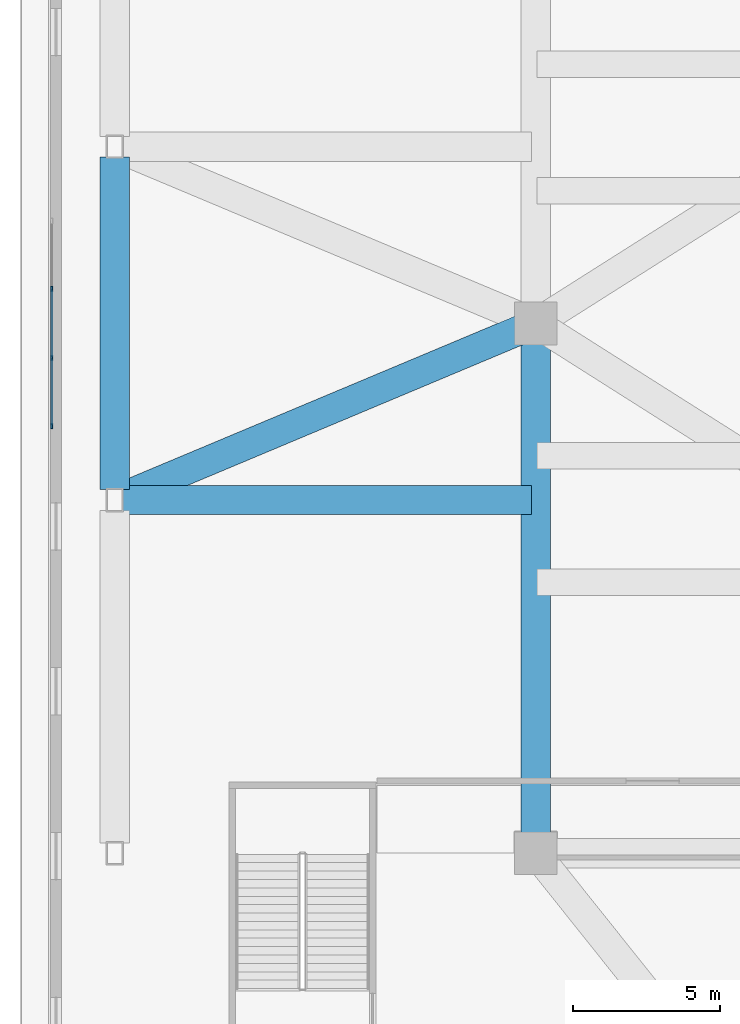
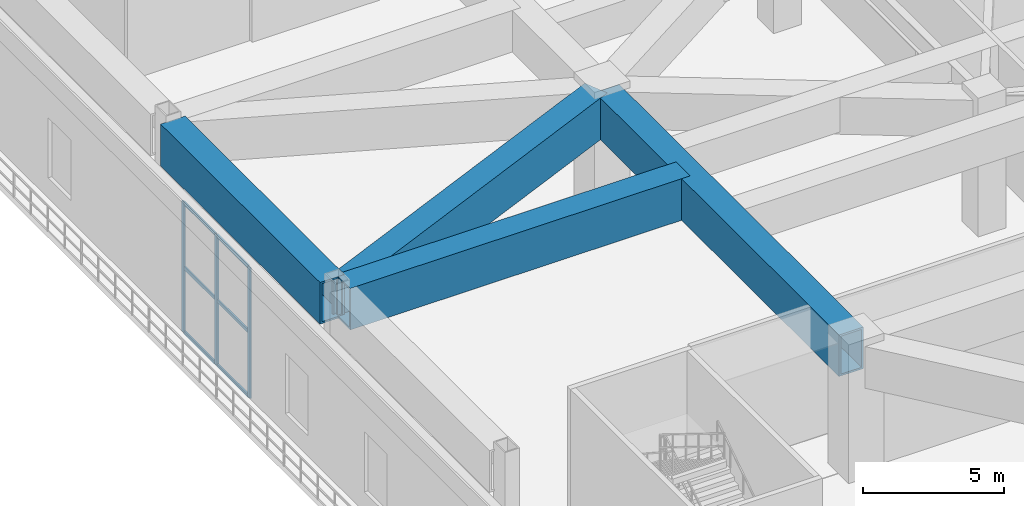
# One storey, part 2 of 25: 9 members, 4 beams, 1 element without a shape of its own.
"""IFC4 building model written with IfcOpenShell, lengths in metres."""

from ifc_helpers import new_model, si_unit, direction, frame, origin, origin_2d, place, context, subcontext, project, spatial, rectangle, hollow_rectangle, extrude, material, layer, layer_set, material_profile, profile_set, type_object, element, aggregate, save


model = new_model("IFC4")

# Units and contexts
model_context = context("Model", 3, precision=1e-05, world=origin(), true_north=direction((0.0, 1.0)))
body_context = subcontext(model_context, "Body", "Model", "MODEL_VIEW")
ifc_project = project(units=[si_unit("LENGTHUNIT", "METRE"), si_unit("AREAUNIT", "SQUARE_METRE"), si_unit("VOLUMEUNIT", "CUBIC_METRE"), si_unit("PLANEANGLEUNIT", "RADIAN"), si_unit("MASSUNIT", "GRAM", prefix="KILO")], contexts=[model_context])

# Site, building, storey
site_placement = place(None, origin())
site = spatial("IfcSite", under=ifc_project, at=site_placement, CompositionType="ELEMENT")
building_placement = place(site_placement, origin())
building = spatial("IfcBuilding", under=site, at=building_placement, Name="Apsidion Concourse Tower", CompositionType="ELEMENT")
storey_placement = place(building_placement, frame((0.0, 0.0, 11.5)))
storey = spatial("IfcBuildingStorey", under=building, at=storey_placement, Name="L02", CompositionType="ELEMENT", Elevation=11.5)

# Beams
ifc_material_1 = material(Name="Structural steel ASTM A572 Grade 50", Category="steel")
ifc_material_profile_1 = material_profile(ifc_material_1, hollow_rectangle(XDim=1.0, YDim=1.800048828125, WallThickness=0.080078125, at=origin_2d()), Name="BOX1800X1000X80")
ifc_profile_set_1 = profile_set([ifc_material_profile_1], Name="Structural steel ASTM A572 Grade 50")
beam_type = type_object("IfcBeamType", Name="BM-TR-1800", PredefinedType="USERDEFINED", material=ifc_profile_set_1)
beam_1_placement = place(storey_placement, frame((-24.0, -17.64990234375, 4.800048828125), z_axis=(0.0, 1.0, 0.0), x_axis=(-1.0, 0.0, 0.0)))
element("IfcBeam", 1, at=beam_1_placement, inside=storey, type_object=beam_type, Name="L02 Podium Transfer Collector Girder MC1-MC3", ObjectType="GIRDER", PredefinedType="USERDEFINED", context=body_context, shape_type="SweptSolid", body=[
    extrude(hollow_rectangle(XDim=1.0, YDim=1.800048828125, WallThickness=0.080078125, at=origin_2d()), origin(), (0.0, 0.0, 1.0), 17.2998046875),
])
beam_2_placement = place(storey_placement, frame((-38.050048828125, -6.0, 4.800048828125), z_axis=(1.0, 0.0, 0.0), x_axis=(0.0, 1.0, 0.0)))
element("IfcBeam", 2, at=beam_2_placement, inside=storey, type_object=beam_type, Name="L02 Podium Radial Frame Girder PC02", ObjectType="GIRDER", PredefinedType="USERDEFINED", context=body_context, shape_type="SweptSolid", body=[
    extrude(hollow_rectangle(XDim=1.0, YDim=1.800048828125, WallThickness=0.080078125, at=origin_2d()), origin(), (0.0, 0.0, 1.0), 13.900146484375),
])
beam_3_placement = place(storey_placement, frame((-37.977294921875, -5.864501953125, 4.800048828125), z_axis=(0.92212437548, 0.386893572118, 0.0), x_axis=(-0.386893572118, 0.92212437548, 0.0)))
element("IfcBeam", 3, at=beam_3_placement, inside=storey, type_object=beam_type, Name="L02 Podium Diagonal Frame Tie PC02", ObjectType="GIRDER", PredefinedType="USERDEFINED", context=body_context, shape_type="SweptSolid", body=[
    extrude(hollow_rectangle(XDim=1.0, YDim=1.800048828125, WallThickness=0.080078125, at=origin_2d()), origin(), (0.0, 0.0, 1.0), 14.8076171875),
])
beam_4_placement = place(storey_placement, frame((-38.300048828125, -5.64990234375, 4.800048828125), z_axis=(0.0, 1.0, 0.0), x_axis=(-1.0, 0.0, 0.0)))
element("IfcBeam", 4, at=beam_4_placement, inside=storey, type_object=beam_type, Name="L02 Podium Spandrel Girder PC02-PC03", ObjectType="GIRDER", PredefinedType="USERDEFINED", context=body_context, shape_type="SweptSolid", body=[
    extrude(hollow_rectangle(XDim=1.0, YDim=1.800048828125, WallThickness=0.080078125, at=origin_2d()), origin(), (0.0, 0.0, 1.0), 11.2998046875),
])

# Curtain wall, members
ifc_material_2 = material(Name="Insulated laminated low-E glass", Category="glass")
ifc_layer = layer(ifc_material_2, 0.199951171875)
ifc_layer_set = layer_set([ifc_layer], Name="Insulated laminated low-E glass")
curtain_wall_type = type_object("IfcCurtainWallType", Name="CW-SYS-02", PredefinedType="NOTDEFINED", material=ifc_layer_set)
curtain_wall_placement = place(storey_placement, origin())
curtain_wall = element("IfcCurtainWall", 5, at=curtain_wall_placement, inside=storey, type_object=curtain_wall_type, Name="L02 Podium Glazed Curtain Wall W", PredefinedType="NOTDEFINED")
ifc_material_3 = material(Name="Anodised aluminium EN AW-6063 T6", Category="aluminium")
ifc_material_profile_2 = material_profile(ifc_material_3, rectangle(XDim=0.06494140625, YDim=0.179931640625, at=origin_2d()), Name="ALU MULLION 65x180")
ifc_profile_set_2 = profile_set([ifc_material_profile_2], Name="Anodised aluminium EN AW-6063 T6")
member_type_1 = type_object("IfcMemberType", Name="CWM-65X180", PredefinedType="MULLION", material=ifc_profile_set_2)
member_1_placement = place(storey_placement, frame((-40.43994140625, -3.4833984375, 0.0), z_axis=(0.0, 0.0, 1.0), x_axis=(-1.0, 0.0, 0.0)))
member_1 = element("IfcMember", 6, at=member_1_placement, type_object=member_type_1, Name="CW-02 mullion 1", PredefinedType="MULLION", context=body_context, shape_type="SweptSolid", body=[
    extrude(rectangle(XDim=0.06494140625, YDim=0.179931640625, at=origin_2d()), origin(), (0.0, 0.0, 1.0), 5.64990234375),
])
member_2_placement = place(storey_placement, frame((-40.43994140625, -1.172119140625, 0.0), z_axis=(0.0, 0.0, 1.0), x_axis=(-1.0, 0.0, 0.0)))
member_2 = element("IfcMember", 7, at=member_2_placement, type_object=member_type_1, Name="CW-02 mullion 2", PredefinedType="MULLION", context=body_context, shape_type="SweptSolid", body=[
    extrude(rectangle(XDim=0.06494140625, YDim=0.179931640625, at=origin_2d()), origin(), (0.0, 0.0, 1.0), 5.64990234375),
])
member_3_placement = place(storey_placement, frame((-40.43994140625, 1.172119140625, 0.0), z_axis=(0.0, 0.0, 1.0), x_axis=(-1.0, 0.0, 0.0)))
member_3 = element("IfcMember", 8, at=member_3_placement, type_object=member_type_1, Name="CW-02 mullion 3", PredefinedType="MULLION", context=body_context, shape_type="SweptSolid", body=[
    extrude(rectangle(XDim=0.06494140625, YDim=0.179931640625, at=origin_2d()), origin(), (0.0, 0.0, 1.0), 5.64990234375),
])
ifc_material_profile_3 = material_profile(ifc_material_3, rectangle(XDim=0.06494140625, YDim=0.139892578125, at=origin_2d()), Name="ALU TRANSOM 65x140")
ifc_profile_set_3 = profile_set([ifc_material_profile_3], Name="Anodised aluminium EN AW-6063 T6")
member_type_2 = type_object("IfcMemberType", Name="CWT-65X140", PredefinedType="USERDEFINED", material=ifc_profile_set_3)
member_4_placement = place(storey_placement, frame((-40.43994140625, -3.450927734375, 0.032470703125), z_axis=(0.0, 1.0, 0.0), x_axis=(-1.0, 0.0, 0.0)))
member_4 = element("IfcMember", 9, at=member_4_placement, type_object=member_type_2, Name="CW-02 transom 1.1", ObjectType="TRANSOM", PredefinedType="USERDEFINED", context=body_context, shape_type="SweptSolid", body=[
    extrude(rectangle(XDim=0.06494140625, YDim=0.139892578125, at=origin_2d()), origin(), (0.0, 0.0, 1.0), 2.246337890625),
])
member_5_placement = place(storey_placement, frame((-40.43994140625, -3.450927734375, 2.824951171875), z_axis=(0.0, 1.0, 0.0), x_axis=(-1.0, 0.0, 0.0)))
member_5 = element("IfcMember", 10, at=member_5_placement, type_object=member_type_2, Name="CW-02 transom 1.2", ObjectType="TRANSOM", PredefinedType="USERDEFINED", context=body_context, shape_type="SweptSolid", body=[
    extrude(rectangle(XDim=0.06494140625, YDim=0.139892578125, at=origin_2d()), origin(), (0.0, 0.0, 1.0), 2.246337890625),
])
member_6_placement = place(storey_placement, frame((-40.43994140625, -3.450927734375, 5.617431640625), z_axis=(0.0, 1.0, 0.0), x_axis=(-1.0, 0.0, 0.0)))
member_6 = element("IfcMember", 11, at=member_6_placement, type_object=member_type_2, Name="CW-02 transom 1.3", ObjectType="TRANSOM", PredefinedType="USERDEFINED", context=body_context, shape_type="SweptSolid", body=[
    extrude(rectangle(XDim=0.06494140625, YDim=0.139892578125, at=origin_2d()), origin(), (0.0, 0.0, 1.0), 2.246337890625),
])
member_7_placement = place(storey_placement, frame((-40.43994140625, -1.139404296875, 0.032470703125), z_axis=(0.0, 1.0, 0.0), x_axis=(-1.0, 0.0, 0.0)))
member_7 = element("IfcMember", 12, at=member_7_placement, type_object=member_type_2, Name="CW-02 transom 2.1", ObjectType="TRANSOM", PredefinedType="USERDEFINED", context=body_context, shape_type="SweptSolid", body=[
    extrude(rectangle(XDim=0.06494140625, YDim=0.139892578125, at=origin_2d()), origin(), (0.0, 0.0, 1.0), 2.27880859375),
])
member_8_placement = place(storey_placement, frame((-40.43994140625, -1.139404296875, 2.824951171875), z_axis=(0.0, 1.0, 0.0), x_axis=(-1.0, 0.0, 0.0)))
member_8 = element("IfcMember", 13, at=member_8_placement, type_object=member_type_2, Name="CW-02 transom 2.2", ObjectType="TRANSOM", PredefinedType="USERDEFINED", context=body_context, shape_type="SweptSolid", body=[
    extrude(rectangle(XDim=0.06494140625, YDim=0.139892578125, at=origin_2d()), origin(), (0.0, 0.0, 1.0), 2.27880859375),
])
member_9_placement = place(storey_placement, frame((-40.43994140625, -1.139404296875, 5.617431640625), z_axis=(0.0, 1.0, 0.0), x_axis=(-1.0, 0.0, 0.0)))
member_9 = element("IfcMember", 14, at=member_9_placement, type_object=member_type_2, Name="CW-02 transom 2.3", ObjectType="TRANSOM", PredefinedType="USERDEFINED", context=body_context, shape_type="SweptSolid", body=[
    extrude(rectangle(XDim=0.06494140625, YDim=0.139892578125, at=origin_2d()), origin(), (0.0, 0.0, 1.0), 2.27880859375),
])
aggregate(curtain_wall, [member_1, member_2, member_3, member_4, member_5, member_6, member_7, member_8, member_9])

save(model, "model.ifc")
